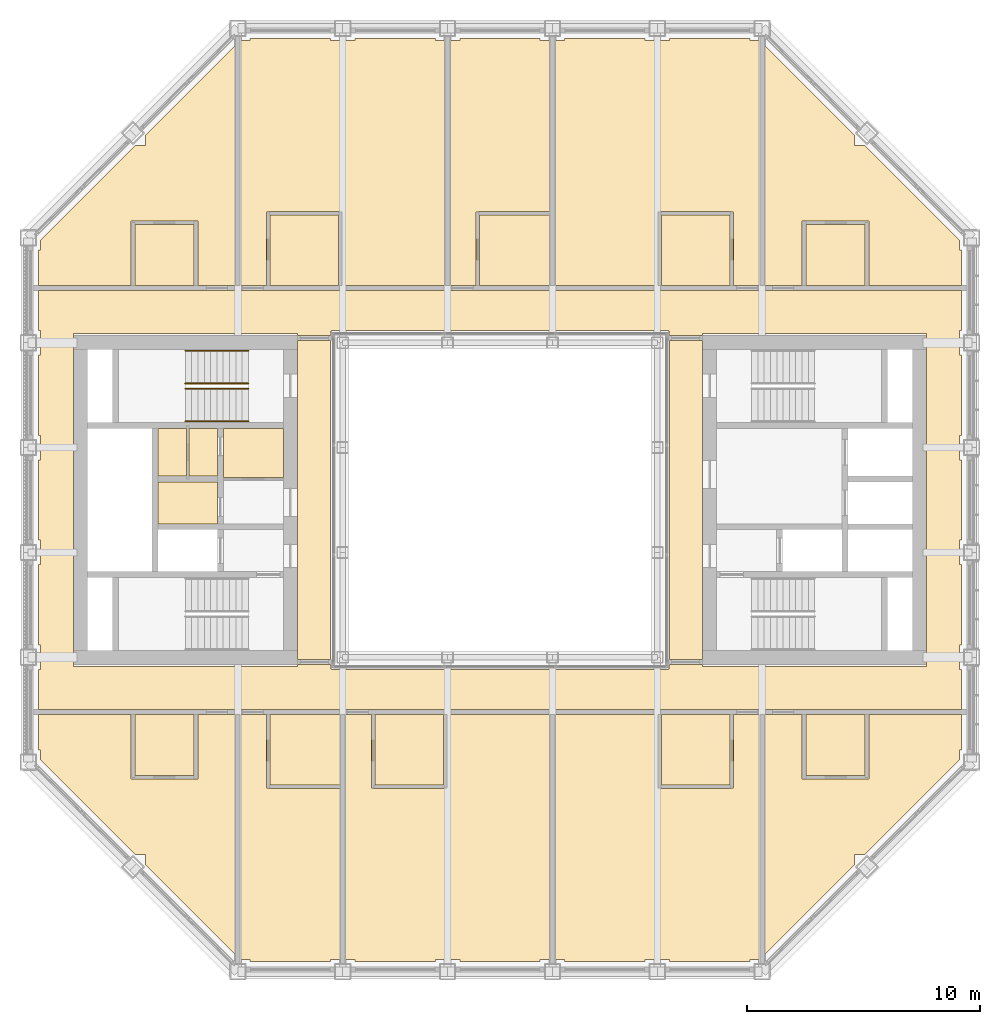
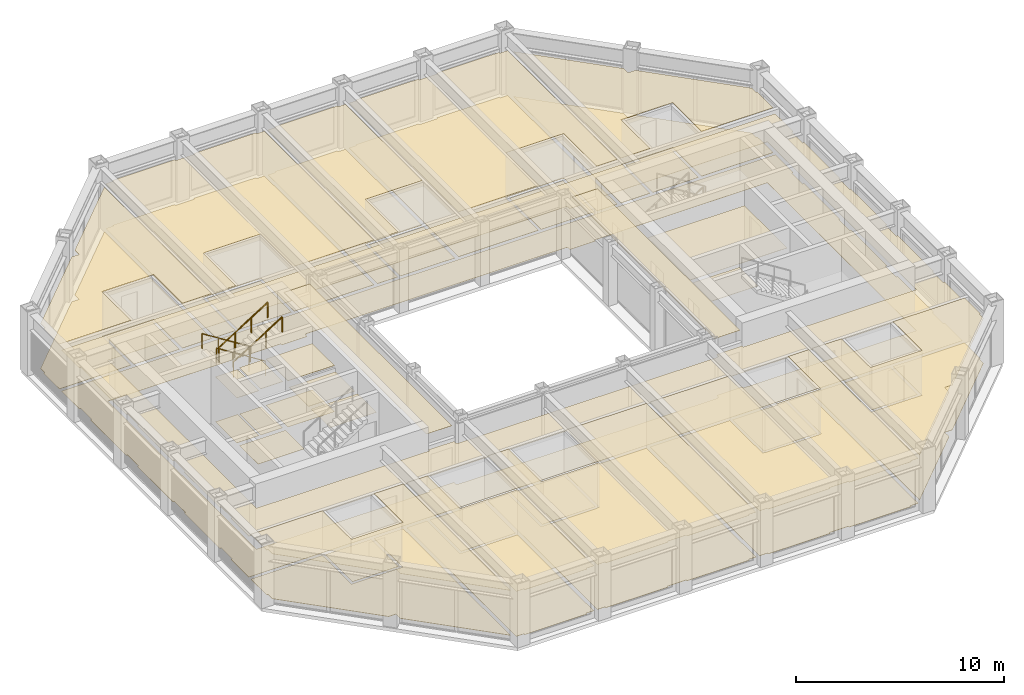
# One storey, part 15 of 16: 8 coverings, 4 railings.
"""IFC4 building model written with IfcOpenShell, lengths in metres."""

from ifc_helpers import new_model, si_unit, direction, frame, origin, origin_2d, place, context, subcontext, project, spatial, line, indexed_curve, circle, outline, extrude, material, layer, layer_set, type_object, element, save


model = new_model("IFC4")

# Units and contexts
model_context = context("Model", 3, precision=1e-05, world=origin(), true_north=direction((0.0, 1.0)))
body_context = subcontext(model_context, "Body", "Model", "MODEL_VIEW")
ifc_project = project(units=[si_unit("LENGTHUNIT", "METRE"), si_unit("AREAUNIT", "SQUARE_METRE"), si_unit("VOLUMEUNIT", "CUBIC_METRE"), si_unit("PLANEANGLEUNIT", "RADIAN"), si_unit("MASSUNIT", "GRAM", prefix="KILO")], contexts=[model_context])

# Site, building, storey
site_placement = place(None, origin())
site = spatial("IfcSite", under=ifc_project, at=site_placement, CompositionType="ELEMENT")
building_placement = place(site_placement, origin())
building = spatial("IfcBuilding", under=site, at=building_placement, Name="Msasa Ring Tower", CompositionType="ELEMENT")
storey_placement = place(building_placement, frame((0.0, 0.0, 212.050048828125)))
storey = spatial("IfcBuildingStorey", under=building, at=storey_placement, Name="L55", CompositionType="ELEMENT", Elevation=212.050048828125)

# Coverings
ifc_material_1 = material(Name="Gypsum plasterboard on a steel suspension grid", Category="steel")
ifc_layer_1 = layer(ifc_material_1, 0.014892578125)
ifc_layer_set_1 = layer_set([ifc_layer_1], Name="C1 SUSPENDED PLASTERBOARD CEILING 15")
covering_type_1 = type_object("IfcCoveringType", Name="C1 SUSPENDED PLASTERBOARD CEILING 15", PredefinedType="CEILING", material=ifc_layer_set_1)
covering_1_placement = place(storey_placement, frame((0.0, 0.0, 2.39990234375)))
element("IfcCovering", 1, at=covering_1_placement, inside=storey, type_object=covering_type_1, Name="Suspended Plasterboard Ceiling 15 circulation L55", PredefinedType="CEILING", context=body_context, shape_type="SweptSolid", body=[
    extrude(outline(indexed_curve([(19.799560546875, 7.275390625), (19.724609375, 7.275390625), (19.724609375, 6.224609375), (19.799560546875, 6.224609375), (19.799560546875, 2.775390625), (19.724609375, 2.775390625), (19.724609375, 1.724609375), (19.799560546875, 1.724609375), (19.799560546875, -1.724609375), (19.724609375, -1.724609375), (19.724609375, -2.775390625), (19.799560546875, -2.775390625), (19.799560546875, -6.224609375), (19.724609375, -6.224609375), (19.724609375, -7.275390625), (19.799560546875, -7.275390625), (19.799560546875, -8.99951171875), (-19.799560546875, -8.99951171875), (-19.799560546875, -7.275390625), (-19.724609375, -7.275390625), (-19.724609375, -6.224609375), (-19.799560546875, -6.224609375), (-19.799560546875, -2.775390625), (-19.724609375, -2.775390625), (-19.724609375, -1.724609375), (-19.799560546875, -1.724609375), (-19.799560546875, 1.724609375), (-19.724609375, 1.724609375), (-19.724609375, 2.775390625), (-19.799560546875, 2.775390625), (-19.799560546875, 6.224609375), (-19.724609375, 6.224609375), (-19.724609375, 7.275390625), (-19.799560546875, 7.275390625), (-19.799560546875, 8.99951171875), (19.799560546875, 8.99951171875)], segments=[line(1, 2, 3, 4, 5, 6, 7, 8, 9, 10, 11, 12, 13, 14, 15, 16, 17, 18, 19, 20, 21, 22, 23, 24, 25, 26, 27, 28, 29, 30, 31, 32, 33, 34, 35, 36, 1)], self_intersect=False), holes=[indexed_curve([(8.699462890625, -7.150390625), (18.300537109375, -7.150390625), (18.300537109375, 7.150390625), (8.699462890625, 7.150390625), (8.699462890625, 7.050537109375), (7.280029296875, 7.050537109375), (7.280517578125, 7.23046875), (7.22998046875, 7.23046875), (7.22998046875, 7.280029296875), (-7.22998046875, 7.280029296875), (-7.22998046875, 7.23046875), (-7.280517578125, 7.23046875), (-7.280029296875, 7.050537109375), (-8.699462890625, 7.050537109375), (-8.699462890625, 7.150390625), (-18.300537109375, 7.150390625), (-18.300537109375, -7.150390625), (-8.699462890625, -7.150390625), (-8.699462890625, -7.050537109375), (-7.280029296875, -7.050537109375), (-7.280517578125, -7.23046875), (-7.22998046875, -7.23046875), (-7.22998046875, -7.280029296875), (7.22998046875, -7.280029296875), (7.22998046875, -7.23046875), (7.280517578125, -7.23046875), (7.280029296875, -7.050537109375), (8.699462890625, -7.050537109375)], segments=[line(1, 2, 3, 4, 5, 6, 7, 8, 9, 10, 11, 12, 13, 14, 15, 16, 17, 18, 19, 20, 21, 22, 23, 24, 25, 26, 27, 28, 1)], self_intersect=False)]), origin(), (0.0, 0.0, 1.0), 0.01513671875),
    extrude(outline(indexed_curve([(-9.300537109375, -3.074462890625), (-11.87451171875, -3.074462890625), (-11.87451171875, -1.275390625), (-9.300537109375, -1.275390625)], segments=[line(1, 2, 3, 4, 1)], self_intersect=False)), origin(), (0.0, 0.0, 1.0), 0.01513671875),
    extrude(outline(indexed_curve([(-9.300537109375, -1.0244140625), (-11.87451171875, -1.0244140625), (-11.87451171875, 0.844482421875), (-9.300537109375, 0.844482421875)], segments=[line(1, 2, 3, 4, 1)], self_intersect=False)), origin(), (0.0, 0.0, 1.0), 0.01513671875),
    extrude(outline(indexed_curve([(11.87451171875, -3.074462890625), (9.300537109375, -3.074462890625), (9.300537109375, -1.275390625), (11.87451171875, -1.275390625)], segments=[line(1, 2, 3, 4, 1)], self_intersect=False)), origin(), (0.0, 0.0, 1.0), 0.01513671875),
    extrude(outline(indexed_curve([(9.300537109375, -1.0244140625), (9.300537109375, 3.074462890625), (14.674560546875, 3.074462890625), (14.674560546875, -1.0244140625)], segments=[line(1, 2, 3, 4, 1)], self_intersect=False)), origin(), (0.0, 0.0, 1.0), 0.01513671875),
])
covering_2_placement = place(storey_placement, frame((0.0, 0.0, 3.199951171875)))
element("IfcCovering", 2, at=covering_2_placement, inside=storey, type_object=covering_type_1, Name="Suspended Plasterboard Ceiling 15 public rooms L55", PredefinedType="CEILING", context=body_context, shape_type="SweptSolid", body=[
    extrude(outline(indexed_curve([(-7.280029296875, 6.849609375), (-7.280029296875, -6.849609375), (-8.699462890625, -6.849609375), (-8.699462890625, 6.849609375)], segments=[line(1, 2, 3, 4, 1)], self_intersect=False)), origin(), (0.0, 0.0, 1.0), 0.014892578125),
    extrude(outline(indexed_curve([(8.699462890625, 6.849609375), (8.699462890625, -6.849609375), (7.280029296875, -6.849609375), (7.280029296875, 6.849609375)], segments=[line(1, 2, 3, 4, 1)], self_intersect=False)), origin(), (0.0, 0.0, 1.0), 0.014892578125),
])
covering_3_placement = place(storey_placement, frame((0.0, 0.0, 2.634033203125)))
element("IfcCovering", 3, at=covering_3_placement, inside=storey, type_object=covering_type_1, Name="Suspended Plasterboard Ceiling 15 L55", PredefinedType="CEILING", context=body_context, shape_type="SweptSolid", body=[
    extrude(outline(indexed_curve([(-15.83056640625, -11.98046875), (-12.969482421875, -11.98046875), (-12.969482421875, -9.200439453125), (-11.3505859375, -9.200439453125), (-11.3505859375, -19.512451171875), (-15.224609375, -15.638427734375), (-15.224609375, -15.224609375), (-15.638427734375, -15.224609375), (-19.724609375, -11.138427734375), (-19.724609375, -10.724609375), (-19.799560546875, -10.724609375), (-19.799560546875, -9.200439453125), (-15.83056640625, -9.200439453125)], segments=[line(1, 2, 3, 4, 5, 6, 7, 8, 9, 10, 11, 12, 13, 1)], self_intersect=False)), origin(), (0.0, 0.0, 1.0), 0.014892578125),
    extrude(outline(indexed_curve([(-19.799560546875, 9.200439453125), (-19.799560546875, 10.724609375), (-19.724609375, 10.724609375), (-19.724609375, 11.138427734375), (-15.638427734375, 15.224609375), (-15.224609375, 15.224609375), (-15.224609375, 15.638427734375), (-11.3505859375, 19.512451171875), (-11.3505859375, 9.200439453125), (-12.969482421875, 9.200439453125), (-12.969482421875, 11.98046875), (-15.83056640625, 11.98046875), (-15.83056640625, 9.200439453125)], segments=[line(1, 2, 3, 4, 5, 6, 7, 8, 9, 10, 11, 12, 13, 1)], self_intersect=False)), origin(), (0.0, 0.0, 1.0), 0.014892578125),
    extrude(outline(indexed_curve([(-14.674560546875, 3.074462890625), (-13.45556640625, 3.074462890625), (-13.45556640625, 1.025390625), (-14.674560546875, 1.025390625)], segments=[line(1, 2, 3, 4, 1)], self_intersect=False)), origin(), (0.0, 0.0, 1.0), 0.014892578125),
    extrude(outline(indexed_curve([(-6.8505859375, -19.724609375), (-7.275390625, -19.724609375), (-7.275390625, -19.799560546875), (-10.724609375, -19.799560546875), (-10.724609375, -19.724609375), (-11.138427734375, -19.724609375), (-11.1494140625, -19.71337890625), (-11.1494140625, -9.200439453125), (-10.00048828125, -9.200439453125), (-10.00048828125, -12.3505859375), (-6.8505859375, -12.3505859375)], segments=[line(1, 2, 3, 4, 5, 6, 7, 8, 9, 10, 11, 1)], self_intersect=False)), origin(), (0.0, 0.0, 1.0), 0.014892578125),
    extrude(outline(indexed_curve([(-6.799560546875, 9.200439453125), (-6.799560546875, 12.3505859375), (-10.00048828125, 12.3505859375), (-10.00048828125, 9.200439453125), (-11.1494140625, 9.200439453125), (-11.1494140625, 19.71337890625), (-11.138427734375, 19.724609375), (-10.724609375, 19.724609375), (-10.724609375, 19.799560546875), (-7.275390625, 19.799560546875), (-7.275390625, 19.724609375), (-6.224609375, 19.724609375), (-6.224609375, 19.799560546875), (-2.775390625, 19.799560546875), (-2.775390625, 19.724609375), (-2.3505859375, 19.724609375), (-2.3505859375, 9.200439453125)], segments=[line(1, 2, 3, 4, 5, 6, 7, 8, 9, 10, 11, 12, 13, 14, 15, 16, 17, 1)], self_intersect=False)), origin(), (0.0, 0.0, 1.0), 0.014892578125),
    extrude(outline(indexed_curve([(-5.50048828125, -12.3505859375), (-2.299560546875, -12.3505859375), (-2.299560546875, -9.200439453125), (2.1494140625, -9.200439453125), (2.1494140625, -19.724609375), (1.724609375, -19.724609375), (1.724609375, -19.799560546875), (-1.724609375, -19.799560546875), (-1.724609375, -19.724609375), (-2.775390625, -19.724609375), (-2.775390625, -19.799560546875), (-6.224609375, -19.799560546875), (-6.224609375, -19.724609375), (-6.6494140625, -19.724609375), (-6.6494140625, -9.200439453125), (-5.50048828125, -9.200439453125)], segments=[line(1, 2, 3, 4, 5, 6, 7, 8, 9, 10, 11, 12, 13, 14, 15, 16, 1)], self_intersect=False)), origin(), (0.0, 0.0, 1.0), 0.014892578125),
    extrude(outline(indexed_curve([(-2.1494140625, 9.200439453125), (-2.1494140625, 19.724609375), (-1.724609375, 19.724609375), (-1.724609375, 19.799560546875), (1.724609375, 19.799560546875), (1.724609375, 19.724609375), (2.1494140625, 19.724609375), (2.1494140625, 12.3505859375), (-1.00048828125, 12.3505859375), (-1.00048828125, 9.200439453125)], segments=[line(1, 2, 3, 4, 5, 6, 7, 8, 9, 10, 1)], self_intersect=False)), origin(), (0.0, 0.0, 1.0), 0.014892578125),
    extrude(outline(indexed_curve([(6.799560546875, -12.3505859375), (10.00048828125, -12.3505859375), (10.00048828125, -9.200439453125), (11.1494140625, -9.200439453125), (11.1494140625, -19.71337890625), (11.138427734375, -19.724609375), (10.724609375, -19.724609375), (10.724609375, -19.799560546875), (7.275390625, -19.799560546875), (7.275390625, -19.724609375), (6.224609375, -19.724609375), (6.224609375, -19.799560546875), (2.775390625, -19.799560546875), (2.775390625, -19.724609375), (2.3505859375, -19.724609375), (2.3505859375, -9.200439453125), (6.799560546875, -9.200439453125)], segments=[line(1, 2, 3, 4, 5, 6, 7, 8, 9, 10, 11, 12, 13, 14, 15, 16, 17, 1)], self_intersect=False)), origin(), (0.0, 0.0, 1.0), 0.014892578125),
    extrude(outline(indexed_curve([(10.00048828125, 12.3505859375), (6.799560546875, 12.3505859375), (6.799560546875, 9.200439453125), (2.3505859375, 9.200439453125), (2.3505859375, 19.724609375), (2.775390625, 19.724609375), (2.775390625, 19.799560546875), (6.224609375, 19.799560546875), (6.224609375, 19.724609375), (7.275390625, 19.724609375), (7.275390625, 19.799560546875), (10.724609375, 19.799560546875), (10.724609375, 19.724609375), (11.138427734375, 19.724609375), (11.1494140625, 19.71337890625), (11.1494140625, 9.200439453125), (10.00048828125, 9.200439453125)], segments=[line(1, 2, 3, 4, 5, 6, 7, 8, 9, 10, 11, 12, 13, 14, 15, 16, 17, 1)], self_intersect=False)), origin(), (0.0, 0.0, 1.0), 0.014892578125),
    extrude(outline(indexed_curve([(19.799560546875, -9.200439453125), (19.799560546875, -10.724609375), (19.724609375, -10.724609375), (19.724609375, -11.138427734375), (15.638427734375, -15.224609375), (15.224609375, -15.224609375), (15.224609375, -15.638427734375), (11.3505859375, -19.512451171875), (11.3505859375, -9.200439453125), (12.969482421875, -9.200439453125), (12.969482421875, -11.98046875), (15.83056640625, -11.98046875), (15.83056640625, -9.200439453125)], segments=[line(1, 2, 3, 4, 5, 6, 7, 8, 9, 10, 11, 12, 13, 1)], self_intersect=False)), origin(), (0.0, 0.0, 1.0), 0.014892578125),
    extrude(outline(indexed_curve([(15.83056640625, 11.98046875), (12.969482421875, 11.98046875), (12.969482421875, 9.200439453125), (11.3505859375, 9.200439453125), (11.3505859375, 19.512451171875), (15.224609375, 15.638427734375), (15.224609375, 15.224609375), (15.638427734375, 15.224609375), (19.724609375, 11.138427734375), (19.724609375, 10.724609375), (19.799560546875, 10.724609375), (19.799560546875, 9.200439453125), (15.83056640625, 9.200439453125)], segments=[line(1, 2, 3, 4, 5, 6, 7, 8, 9, 10, 11, 12, 13, 1)], self_intersect=False)), origin(), (0.0, 0.0, 1.0), 0.014892578125),
])
ifc_material_2 = material(Name="Mineral fibre ceiling tiles on an exposed steel grid", Category="steel")
ifc_layer_2 = layer(ifc_material_2, 0.02001953125)
ifc_layer_set_2 = layer_set([ifc_layer_2], Name="C3 ACOUSTIC MINERAL FIBRE TILE CEILING 20")
covering_type_2 = type_object("IfcCoveringType", Name="C3 ACOUSTIC MINERAL FIBRE TILE CEILING 20", PredefinedType="CEILING", material=ifc_layer_set_2)
covering_4_placement = place(storey_placement, frame((0.0, 0.0, 2.699951171875)))
element("IfcCovering", 4, at=covering_4_placement, inside=storey, type_object=covering_type_2, Name="Acoustic Mineral Fibre Tile Ceiling 20 L55", PredefinedType="CEILING", context=body_context, shape_type="SweptSolid", body=[
    extrude(outline(indexed_curve([(-12.12548828125, 3.074462890625), (-12.12548828125, 1.025390625), (-13.344482421875, 1.025390625), (-13.344482421875, 3.074462890625)], segments=[line(1, 2, 3, 4, 1)], self_intersect=False)), origin(), (0.0, 0.0, 1.0), 0.02001953125),
    extrude(outline(indexed_curve([(-9.300537109375, 3.074462890625), (-9.300537109375, 0.95556640625), (-11.87451171875, 0.95556640625), (-11.87451171875, 3.074462890625)], segments=[line(1, 2, 3, 4, 1)], self_intersect=False)), origin(), (0.0, 0.0, 1.0), 0.02001953125),
])
ifc_material_3 = material(Name="Wool-blend carpet on felt underlay", Category="textile")
ifc_layer_3 = layer(ifc_material_3, 0.011962890625)
ifc_layer_set_3 = layer_set([ifc_layer_3], Name="F2 CARPET ON UNDERLAY 12")
covering_type_3 = type_object("IfcCoveringType", Name="F2 CARPET ON UNDERLAY 12", PredefinedType="FLOORING", material=ifc_layer_set_3)
covering_5_placement = place(storey_placement, origin())
element("IfcCovering", 5, at=covering_5_placement, inside=storey, type_object=covering_type_3, Name="Carpet On Underlay 12 L55", PredefinedType="FLOORING", context=body_context, shape_type="SweptSolid", body=[
    extrude(outline(indexed_curve([(19.799560546875, 7.275390625), (19.724609375, 7.275390625), (19.724609375, 6.224609375), (19.799560546875, 6.224609375), (19.799560546875, 2.775390625), (19.724609375, 2.775390625), (19.724609375, 1.724609375), (19.799560546875, 1.724609375), (19.799560546875, -1.724609375), (19.724609375, -1.724609375), (19.724609375, -2.775390625), (19.799560546875, -2.775390625), (19.799560546875, -6.224609375), (19.724609375, -6.224609375), (19.724609375, -7.275390625), (19.799560546875, -7.275390625), (19.799560546875, -8.99951171875), (-19.799560546875, -8.99951171875), (-19.799560546875, -7.275390625), (-19.724609375, -7.275390625), (-19.724609375, -6.224609375), (-19.799560546875, -6.224609375), (-19.799560546875, -2.775390625), (-19.724609375, -2.775390625), (-19.724609375, -1.724609375), (-19.799560546875, -1.724609375), (-19.799560546875, 1.724609375), (-19.724609375, 1.724609375), (-19.724609375, 2.775390625), (-19.799560546875, 2.775390625), (-19.799560546875, 6.224609375), (-19.724609375, 6.224609375), (-19.724609375, 7.275390625), (-19.799560546875, 7.275390625), (-19.799560546875, 8.99951171875), (19.799560546875, 8.99951171875)], segments=[line(1, 2, 3, 4, 5, 6, 7, 8, 9, 10, 11, 12, 13, 14, 15, 16, 17, 18, 19, 20, 21, 22, 23, 24, 25, 26, 27, 28, 29, 30, 31, 32, 33, 34, 35, 36, 1)], self_intersect=False), holes=[indexed_curve([(8.699462890625, -7.150390625), (18.300537109375, -7.150390625), (18.300537109375, 7.150390625), (8.699462890625, 7.150390625), (8.699462890625, 7.050537109375), (7.280029296875, 7.050537109375), (7.280517578125, 7.23046875), (7.22998046875, 7.23046875), (7.22998046875, 7.280029296875), (-7.22998046875, 7.280029296875), (-7.22998046875, 7.23046875), (-7.280517578125, 7.23046875), (-7.280029296875, 7.050537109375), (-8.699462890625, 7.050537109375), (-8.699462890625, 7.150390625), (-18.300537109375, 7.150390625), (-18.300537109375, -7.150390625), (-8.699462890625, -7.150390625), (-8.699462890625, -7.050537109375), (-7.280029296875, -7.050537109375), (-7.280517578125, -7.23046875), (-7.22998046875, -7.23046875), (-7.22998046875, -7.280029296875), (7.22998046875, -7.280029296875), (7.22998046875, -7.23046875), (7.280517578125, -7.23046875), (7.280029296875, -7.050537109375), (8.699462890625, -7.050537109375)], segments=[line(1, 2, 3, 4, 5, 6, 7, 8, 9, 10, 11, 12, 13, 14, 15, 16, 17, 18, 19, 20, 21, 22, 23, 24, 25, 26, 27, 28, 1)], self_intersect=False)]), origin(), (0.0, 0.0, 1.0), 0.011962890625),
    extrude(outline(indexed_curve([(-14.674560546875, 3.074462890625), (-13.45556640625, 3.074462890625), (-13.45556640625, 1.025390625), (-14.674560546875, 1.025390625)], segments=[line(1, 2, 3, 4, 1)], self_intersect=False)), origin(), (0.0, 0.0, 1.0), 0.011962890625),
    extrude(outline(indexed_curve([(-10.724609375, -19.799560546875), (-10.724609375, -19.724609375), (-11.138427734375, -19.724609375), (-11.1494140625, -19.71337890625), (-11.1494140625, -9.200439453125), (-10.025390625, -9.200439453125), (-10.025390625, -12.35009765625), (-9.89990234375, -12.3505859375), (-9.89990234375, -12.37548828125), (-6.8505859375, -12.37548828125), (-6.8505859375, -19.724609375), (-7.275390625, -19.724609375), (-7.275390625, -19.799560546875)], segments=[line(1, 2, 3, 4, 5, 6, 7, 8, 9, 10, 11, 12, 13, 1)], self_intersect=False)), origin(), (0.0, 0.0, 1.0), 0.011962890625),
    extrude(outline(indexed_curve([(-0.89990234375, 12.3505859375), (-1.025390625, 12.35009765625), (-1.025390625, 9.200439453125), (-2.1494140625, 9.200439453125), (-2.1494140625, 19.724609375), (-1.724609375, 19.724609375), (-1.724609375, 19.799560546875), (1.724609375, 19.799560546875), (1.724609375, 19.724609375), (2.1494140625, 19.724609375), (2.1494140625, 12.37548828125), (-0.89990234375, 12.37548828125)], segments=[line(1, 2, 3, 4, 5, 6, 7, 8, 9, 10, 11, 12, 1)], self_intersect=False)), origin(), (0.0, 0.0, 1.0), 0.011962890625),
])
ifc_material_4 = material(Name="Engineered oak boards on an acoustic underlay", Category="wood")
ifc_layer_4 = layer(ifc_material_4, 0.01806640625)
ifc_layer_set_4 = layer_set([ifc_layer_4], Name="F3 ENGINEERED TIMBER ON ACOUSTIC UNDERLAY 18")
covering_type_4 = type_object("IfcCoveringType", Name="F3 ENGINEERED TIMBER ON ACOUSTIC UNDERLAY 18", PredefinedType="FLOORING", material=ifc_layer_set_4)
covering_6_placement = place(storey_placement, origin())
element("IfcCovering", 6, at=covering_6_placement, inside=storey, type_object=covering_type_4, Name="Engineered Timber On Acoustic Underlay 18 L55", PredefinedType="FLOORING", context=body_context, shape_type="SweptSolid", body=[
    extrude(outline(indexed_curve([(-12.969482421875, -11.98046875), (-12.969482421875, -9.200439453125), (-11.3505859375, -9.200439453125), (-11.3505859375, -19.512451171875), (-15.224609375, -15.638427734375), (-15.224609375, -15.224609375), (-15.638427734375, -15.224609375), (-19.724609375, -11.138427734375), (-19.724609375, -10.724609375), (-19.799560546875, -10.724609375), (-19.799560546875, -9.200439453125), (-15.83056640625, -9.200439453125), (-15.83056640625, -11.98046875)], segments=[line(1, 2, 3, 4, 5, 6, 7, 8, 9, 10, 11, 12, 13, 1)], self_intersect=False)), origin(), (0.0, 0.0, 1.0), 0.01806640625),
    extrude(outline(indexed_curve([(-19.799560546875, 9.200439453125), (-19.799560546875, 10.724609375), (-19.724609375, 10.724609375), (-19.724609375, 11.138427734375), (-15.638427734375, 15.224609375), (-15.224609375, 15.224609375), (-15.224609375, 15.638427734375), (-11.3505859375, 19.512451171875), (-11.3505859375, 9.200439453125), (-12.969482421875, 9.200439453125), (-12.969482421875, 11.98046875), (-15.83056640625, 11.98046875), (-15.83056640625, 9.200439453125)], segments=[line(1, 2, 3, 4, 5, 6, 7, 8, 9, 10, 11, 12, 13, 1)], self_intersect=False)), origin(), (0.0, 0.0, 1.0), 0.01806640625),
    extrude(outline(indexed_curve([(-6.7744140625, 12.35009765625), (-6.89990234375, 12.3505859375), (-6.89990234375, 12.37548828125), (-9.89990234375, 12.37548828125), (-9.89990234375, 12.3505859375), (-10.025390625, 12.35009765625), (-10.025390625, 9.200439453125), (-11.1494140625, 9.200439453125), (-11.1494140625, 19.71337890625), (-11.138427734375, 19.724609375), (-10.724609375, 19.724609375), (-10.724609375, 19.799560546875), (-7.275390625, 19.799560546875), (-7.275390625, 19.724609375), (-6.224609375, 19.724609375), (-6.224609375, 19.799560546875), (-2.775390625, 19.799560546875), (-2.775390625, 19.724609375), (-2.3505859375, 19.724609375), (-2.3505859375, 9.200439453125), (-6.7744140625, 9.200439453125)], segments=[line(1, 2, 3, 4, 5, 6, 7, 8, 9, 10, 11, 12, 13, 14, 15, 16, 17, 18, 19, 20, 21, 1)], self_intersect=False)), origin(), (0.0, 0.0, 1.0), 0.01806640625),
    extrude(outline(indexed_curve([(-5.39990234375, -12.3505859375), (-5.39990234375, -12.37548828125), (-2.39990234375, -12.37548828125), (-2.39990234375, -12.3505859375), (-2.2744140625, -12.35009765625), (-2.2744140625, -9.200439453125), (2.1494140625, -9.200439453125), (2.1494140625, -19.724609375), (1.724609375, -19.724609375), (1.724609375, -19.799560546875), (-1.724609375, -19.799560546875), (-1.724609375, -19.724609375), (-2.775390625, -19.724609375), (-2.775390625, -19.799560546875), (-6.224609375, -19.799560546875), (-6.224609375, -19.724609375), (-6.6494140625, -19.724609375), (-6.6494140625, -9.200439453125), (-5.525390625, -9.200439453125), (-5.525390625, -12.35009765625)], segments=[line(1, 2, 3, 4, 5, 6, 7, 8, 9, 10, 11, 12, 13, 14, 15, 16, 17, 18, 19, 20, 1)], self_intersect=False)), origin(), (0.0, 0.0, 1.0), 0.01806640625),
    extrude(outline(indexed_curve([(6.7744140625, -12.35009765625), (6.89990234375, -12.3505859375), (6.89990234375, -12.37548828125), (9.89990234375, -12.37548828125), (9.89990234375, -12.3505859375), (10.025390625, -12.35009765625), (10.025390625, -9.200439453125), (11.1494140625, -9.200439453125), (11.1494140625, -19.71337890625), (11.138427734375, -19.724609375), (10.724609375, -19.724609375), (10.724609375, -19.799560546875), (7.275390625, -19.799560546875), (7.275390625, -19.724609375), (6.224609375, -19.724609375), (6.224609375, -19.799560546875), (2.775390625, -19.799560546875), (2.775390625, -19.724609375), (2.3505859375, -19.724609375), (2.3505859375, -9.200439453125), (6.7744140625, -9.200439453125)], segments=[line(1, 2, 3, 4, 5, 6, 7, 8, 9, 10, 11, 12, 13, 14, 15, 16, 17, 18, 19, 20, 21, 1)], self_intersect=False)), origin(), (0.0, 0.0, 1.0), 0.01806640625),
    extrude(outline(indexed_curve([(10.025390625, 12.35009765625), (9.89990234375, 12.3505859375), (9.89990234375, 12.37548828125), (6.89990234375, 12.37548828125), (6.89990234375, 12.3505859375), (6.7744140625, 12.35009765625), (6.7744140625, 9.200439453125), (2.3505859375, 9.200439453125), (2.3505859375, 19.724609375), (2.775390625, 19.724609375), (2.775390625, 19.799560546875), (6.224609375, 19.799560546875), (6.224609375, 19.724609375), (7.275390625, 19.724609375), (7.275390625, 19.799560546875), (10.724609375, 19.799560546875), (10.724609375, 19.724609375), (11.138427734375, 19.724609375), (11.1494140625, 19.71337890625), (11.1494140625, 9.200439453125), (10.025390625, 9.200439453125)], segments=[line(1, 2, 3, 4, 5, 6, 7, 8, 9, 10, 11, 12, 13, 14, 15, 16, 17, 18, 19, 20, 21, 1)], self_intersect=False)), origin(), (0.0, 0.0, 1.0), 0.01806640625),
    extrude(outline(indexed_curve([(19.799560546875, -9.200439453125), (19.799560546875, -10.724609375), (19.724609375, -10.724609375), (19.724609375, -11.138427734375), (15.638427734375, -15.224609375), (15.224609375, -15.224609375), (15.224609375, -15.638427734375), (11.3505859375, -19.512451171875), (11.3505859375, -9.200439453125), (12.969482421875, -9.200439453125), (12.969482421875, -11.98046875), (15.83056640625, -11.98046875), (15.83056640625, -9.200439453125)], segments=[line(1, 2, 3, 4, 5, 6, 7, 8, 9, 10, 11, 12, 13, 1)], self_intersect=False)), origin(), (0.0, 0.0, 1.0), 0.01806640625),
    extrude(outline(indexed_curve([(12.969482421875, 11.98046875), (12.969482421875, 9.200439453125), (11.3505859375, 9.200439453125), (11.3505859375, 19.512451171875), (15.224609375, 15.638427734375), (15.224609375, 15.224609375), (15.638427734375, 15.224609375), (19.724609375, 11.138427734375), (19.724609375, 10.724609375), (19.799560546875, 10.724609375), (19.799560546875, 9.200439453125), (15.83056640625, 9.200439453125), (15.83056640625, 11.98046875)], segments=[line(1, 2, 3, 4, 5, 6, 7, 8, 9, 10, 11, 12, 13, 1)], self_intersect=False)), origin(), (0.0, 0.0, 1.0), 0.01806640625),
])
ifc_material_5 = material(Name="Porcelain floor tiles in adhesive", Category="ceramic")
ifc_layer_5 = layer(ifc_material_5, 0.010009765625)
ifc_layer_set_5 = layer_set([ifc_layer_5], Name="F4 PORCELAIN TILE ON ADHESIVE 10")
covering_type_5 = type_object("IfcCoveringType", Name="F4 PORCELAIN TILE ON ADHESIVE 10", PredefinedType="FLOORING", material=ifc_layer_set_5)
covering_7_placement = place(storey_placement, origin())
element("IfcCovering", 7, at=covering_7_placement, inside=storey, type_object=covering_type_5, Name="Porcelain Tile On Adhesive 10 L55", PredefinedType="FLOORING", context=body_context, shape_type="SweptSolid", body=[
    extrude(outline(indexed_curve([(-15.66943359375, -9.200439453125), (-13.130615234375, -9.200439453125), (-13.130615234375, -11.819580078125), (-15.66943359375, -11.819580078125)], segments=[line(1, 2, 3, 4, 1)], self_intersect=False)), origin(), (0.0, 0.0, 1.0), 0.010009765625),
    extrude(outline(indexed_curve([(-13.130615234375, 11.819580078125), (-13.130615234375, 9.200439453125), (-15.66943359375, 9.200439453125), (-15.66943359375, 11.819580078125)], segments=[line(1, 2, 3, 4, 1)], self_intersect=False)), origin(), (0.0, 0.0, 1.0), 0.010009765625),
    extrude(outline(indexed_curve([(-12.12548828125, -1.0244140625), (-14.674560546875, -1.0244140625), (-14.674560546875, 0.7744140625), (-12.12548828125, 0.7744140625)], segments=[line(1, 2, 3, 4, 1)], self_intersect=False)), origin(), (0.0, 0.0, 1.0), 0.010009765625),
    extrude(outline(indexed_curve([(-6.8505859375, -9.200439453125), (-6.8505859375, -12.224609375), (-9.87451171875, -12.224609375), (-9.87451171875, -9.200439453125)], segments=[line(1, 2, 3, 4, 1)], self_intersect=False)), origin(), (0.0, 0.0, 1.0), 0.010009765625),
    extrude(outline(indexed_curve([(-9.87451171875, 9.200439453125), (-9.87451171875, 12.224609375), (-6.925537109375, 12.224609375), (-6.925537109375, 9.200439453125)], segments=[line(1, 2, 3, 4, 1)], self_intersect=False)), origin(), (0.0, 0.0, 1.0), 0.010009765625),
    extrude(outline(indexed_curve([(-2.425537109375, -9.200439453125), (-2.425537109375, -12.224609375), (-5.37451171875, -12.224609375), (-5.37451171875, -9.200439453125)], segments=[line(1, 2, 3, 4, 1)], self_intersect=False)), origin(), (0.0, 0.0, 1.0), 0.010009765625),
    extrude(outline(indexed_curve([(2.1494140625, 9.200439453125), (-0.87451171875, 9.200439453125), (-0.87451171875, 12.224609375), (2.1494140625, 12.224609375)], segments=[line(1, 2, 3, 4, 1)], self_intersect=False)), origin(), (0.0, 0.0, 1.0), 0.010009765625),
    extrude(outline(indexed_curve([(9.87451171875, -9.200439453125), (9.87451171875, -12.224609375), (6.925537109375, -12.224609375), (6.925537109375, -9.200439453125)], segments=[line(1, 2, 3, 4, 1)], self_intersect=False)), origin(), (0.0, 0.0, 1.0), 0.010009765625),
    extrude(outline(indexed_curve([(6.925537109375, 9.200439453125), (6.925537109375, 12.224609375), (9.87451171875, 12.224609375), (9.87451171875, 9.200439453125)], segments=[line(1, 2, 3, 4, 1)], self_intersect=False)), origin(), (0.0, 0.0, 1.0), 0.010009765625),
    extrude(outline(indexed_curve([(15.66943359375, -9.200439453125), (15.66943359375, -11.819580078125), (13.130615234375, -11.819580078125), (13.130615234375, -9.200439453125)], segments=[line(1, 2, 3, 4, 1)], self_intersect=False)), origin(), (0.0, 0.0, 1.0), 0.010009765625),
    extrude(outline(indexed_curve([(13.130615234375, 11.819580078125), (15.66943359375, 11.819580078125), (15.66943359375, 9.200439453125), (13.130615234375, 9.200439453125)], segments=[line(1, 2, 3, 4, 1)], self_intersect=False)), origin(), (0.0, 0.0, 1.0), 0.010009765625),
])
ifc_material_6 = material(Name="Welded vinyl safety sheet flooring", Category="vinyl")
ifc_layer_6 = layer(ifc_material_6, 0.0029296875)
ifc_layer_set_6 = layer_set([ifc_layer_6], Name="F5 RESILIENT SHEET FLOORING 3")
covering_type_6 = type_object("IfcCoveringType", Name="F5 RESILIENT SHEET FLOORING 3", PredefinedType="FLOORING", material=ifc_layer_set_6)
covering_8_placement = place(storey_placement, origin())
element("IfcCovering", 8, at=covering_8_placement, inside=storey, type_object=covering_type_6, Name="Resilient Sheet Flooring 3 L55", PredefinedType="FLOORING", context=body_context, shape_type="SweptSolid", body=[
    extrude(outline(indexed_curve([(-12.12548828125, 1.025390625), (-13.344482421875, 1.025390625), (-13.344482421875, 3.074462890625), (-12.12548828125, 3.074462890625)], segments=[line(1, 2, 3, 4, 1)], self_intersect=False)), origin(), (0.0, 0.0, 1.0), 0.0029296875),
    extrude(outline(indexed_curve([(-9.300537109375, 0.95556640625), (-11.87451171875, 0.95556640625), (-11.87451171875, 3.074462890625), (-9.300537109375, 3.074462890625)], segments=[line(1, 2, 3, 4, 1)], self_intersect=False)), origin(), (0.0, 0.0, 1.0), 0.0029296875),
])

# Railings
ifc_material_7 = material(Name="Stainless steel", Category="steel")
railing_type = type_object("IfcRailingType", Name="HR1 HANDRAIL 900", PredefinedType="HANDRAIL", material=ifc_material_7)
for number, where, name in (
    (9, (-10.800048828125, 5.0, 0.17041015625), "Handrail stair SWB L55 1"),
    (10, (-10.800048828125, 6.39990234375, 0.17041015625), "Handrail stair SWB L55 2"),
):
    element("IfcRailing", number, at=place(storey_placement, frame(where)), inside=storey, type_object=railing_type, Name=name, PredefinedType="HANDRAIL", context=body_context, shape_type="SweptSolid", body=[
        extrude(circle(Radius=0.02392578125, at=origin_2d()), frame((0.0, 0.0, 0.8759765625), z_axis=(-0.845579735284, 0.0, 0.533849146555), x_axis=(0.0, -1.0, 0.0)), (0.0, 0.0, 1.0), 3.193115234375),
        extrude(circle(Radius=0.02099609375, at=origin_2d()), origin(), (0.0, 0.0, 1.0), 0.851806640625),
        extrude(circle(Radius=0.02099609375, at=origin_2d()), frame((-0.89990234375, 0.0, 0.568115234375)), (0.0, 0.0, 1.0), 0.851806640625),
        extrude(circle(Radius=0.02099609375, at=origin_2d()), frame((-1.800048828125, 0.0, 1.136474609375)), (0.0, 0.0, 1.0), 0.851806640625),
        extrude(circle(Radius=0.02099609375, at=origin_2d()), frame((-2.699951171875, 0.0, 1.70458984375)), (0.0, 0.0, 1.0), 0.851806640625),
    ])
for number, where, name in (
    (11, (-13.5, 3.375, 2.04541015625), "Handrail stair SWB L55 3"),
    (12, (-13.5, 4.77490234375, 2.04541015625), "Handrail stair SWB L55 4"),
):
    element("IfcRailing", number, at=place(storey_placement, frame(where)), inside=storey, type_object=railing_type, Name=name, PredefinedType="HANDRAIL", context=body_context, shape_type="SweptSolid", body=[
        extrude(circle(Radius=0.02392578125, at=origin_2d()), frame((0.0, 0.0, 0.8759765625), z_axis=(0.845579735284, 0.0, 0.533849146555), x_axis=(0.0, 1.0, 0.0)), (0.0, 0.0, 1.0), 3.193115234375),
        extrude(circle(Radius=0.02099609375, at=origin_2d()), origin(), (0.0, 0.0, 1.0), 0.851806640625),
        extrude(circle(Radius=0.02099609375, at=origin_2d()), frame((0.89990234375, 0.0, 0.568115234375)), (0.0, 0.0, 1.0), 0.851806640625),
        extrude(circle(Radius=0.02099609375, at=origin_2d()), frame((1.800048828125, 0.0, 1.136474609375)), (0.0, 0.0, 1.0), 0.851806640625),
        extrude(circle(Radius=0.02099609375, at=origin_2d()), frame((2.699951171875, 0.0, 1.70458984375)), (0.0, 0.0, 1.0), 0.851806640625),
    ])

save(model, "model.ifc")
